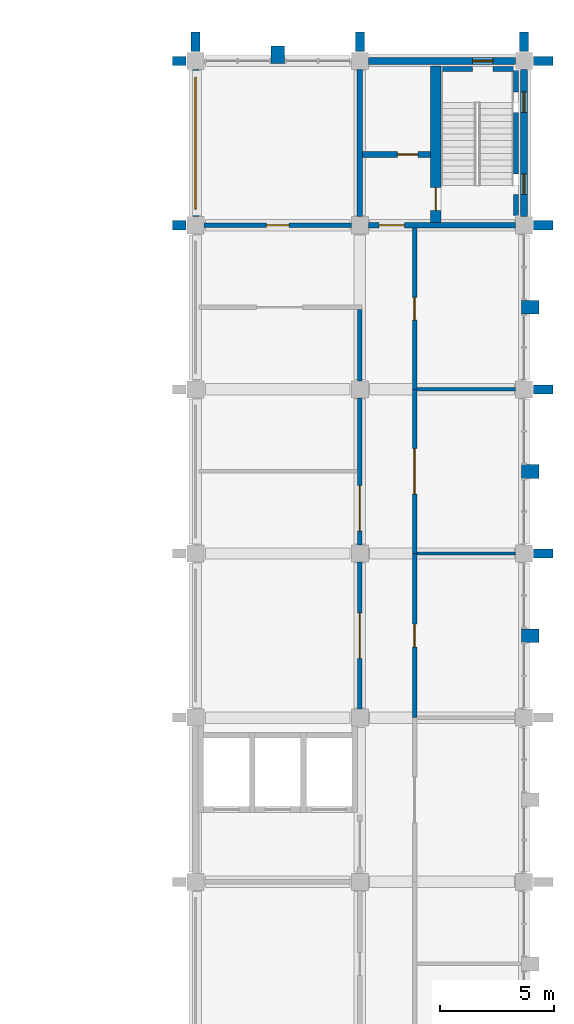
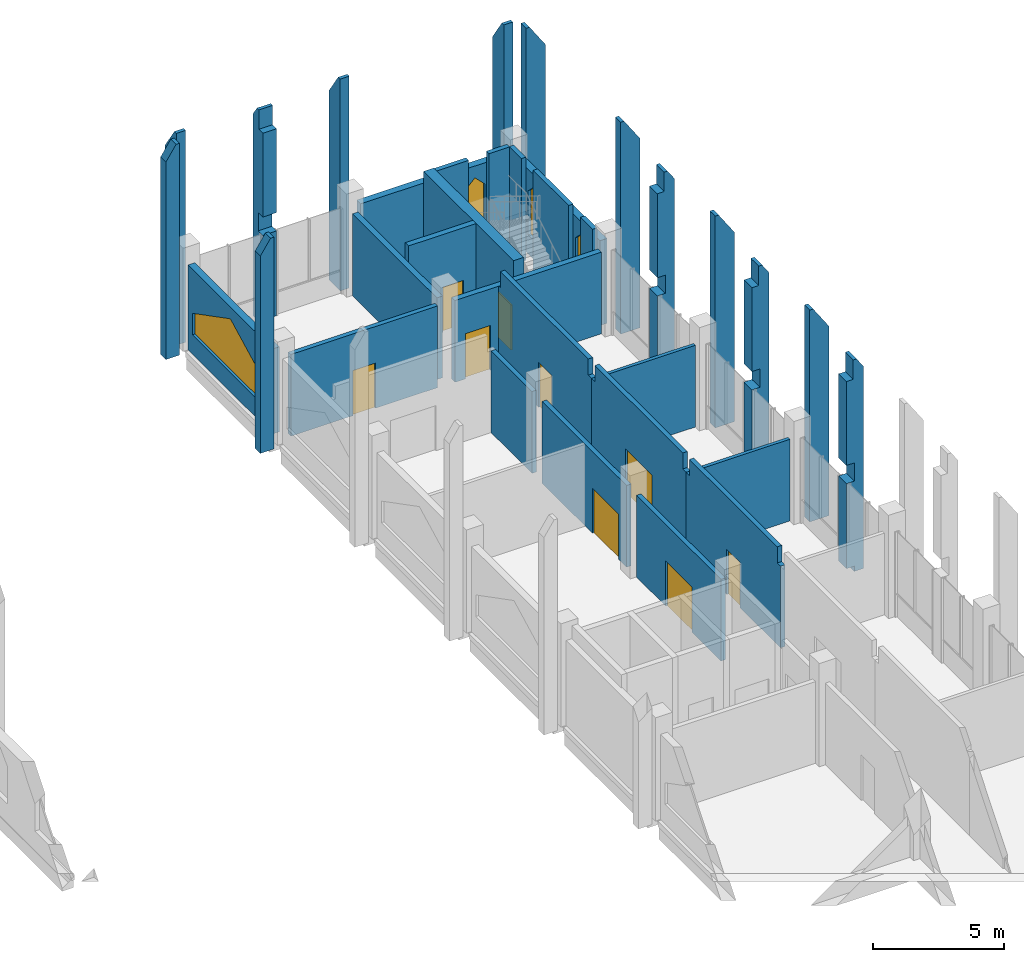
# One storey, part 36 of 40: 34 walls, 9 doors, 4 windows, 13 openings.
"""IFC4 building model written with IfcOpenShell, lengths in metres."""

from ifc_helpers import new_model, si_unit, direction, frame, frame_2d, origin, place, context, subcontext, project, spatial, polyline, rectangle, outline, extrude, material, layer, layer_set, type_object, element, fill, save


model = new_model("IFC4")

# Units and contexts
model_context = context("Model", 3, precision=1e-05, world=origin(), true_north=direction((0.0, 1.0)))
body_context = subcontext(model_context, "Body", "Model", "MODEL_VIEW")
ifc_project = project(units=[si_unit("LENGTHUNIT", "METRE"), si_unit("AREAUNIT", "SQUARE_METRE"), si_unit("VOLUMEUNIT", "CUBIC_METRE"), si_unit("PLANEANGLEUNIT", "RADIAN"), si_unit("MASSUNIT", "GRAM", prefix="KILO")], contexts=[model_context])

# Site, building, storey
site_placement = place(None, origin())
site = spatial("IfcSite", under=ifc_project, at=site_placement, CompositionType="ELEMENT")
building_placement = place(site_placement, origin())
building = spatial("IfcBuilding", under=site, at=building_placement, Name="Silangan Lancet Faculty of Sciences", CompositionType="ELEMENT")
storey_placement = place(building_placement, frame((0.0, 0.0, 21.60009765625)))
storey = spatial("IfcBuildingStorey", under=building, at=storey_placement, Name="L04", CompositionType="ELEMENT", Elevation=21.60009765625)

# Wall, opening, window
ifc_material_1 = material(Name="Concrete C40/50 precast", Category="concrete")
ifc_layer_1 = layer(ifc_material_1, 0.300048828125)
ifc_layer_set_1 = layer_set([ifc_layer_1], Name="Concrete C40/50 precast")
wall_type_1 = type_object("IfcWallType", Name="EW1 Precast cladding wall", PredefinedType="STANDARD", material=ifc_layer_set_1)
wall_1_placement = place(storey_placement, frame((72.0, 50.77490234375, 0.0), z_axis=(0.0, 0.0, 1.0), x_axis=(0.0, 1.0, 0.0)))
wall_1 = element("IfcWall", 1, at=wall_1_placement, inside=storey, type_object=wall_type_1, Name="EW-L04-W-EB-07", PredefinedType="STANDARD", context=body_context, shape_type="SweptSolid", body=[
    extrude(rectangle(XDim=6.4501953125, YDim=0.300048828125, at=frame_2d((3.22509765625, 0.0))), origin(), (0.0, 0.0, 1.0), 3.949951171875),
])
opening_1_placement = place(wall_1_placement, frame((0.324951171875, 0.0, 0.89990234375)))
opening_1 = element("IfcOpeningElement", 2, at=opening_1_placement, cuts=wall_1, Name="Opening W15", PredefinedType="OPENING", context=body_context, shape_type="SweptSolid", body=[
    extrude(outline(polyline([(0.0, 0.0), (5.800048828125, 0.0), (5.800048828125, 1.0), (2.89990234375, 2.5), (0.0, 1.0), (0.0, 0.0)])), frame((0.0, 0.159912109375, 0.0), z_axis=(0.0, -1.0, 0.0), x_axis=(1.0, 0.0, 0.0)), (0.0, 0.0, 1.0), 0.320068359375),
])
ifc_material_2 = material(Name="Aluminium frame, laminated double glazing", Category="aluminium")
window_type_1 = type_object("IfcWindowType", Name="W15 Traceried bay window 5800 x 2500", PartitioningType="TRIPLE_PANEL_VERTICAL", PredefinedType="WINDOW", material=ifc_material_2)
window_1_placement = place(opening_1_placement, origin())
window_1 = element("IfcWindow", 3, at=window_1_placement, inside=storey, type_object=window_type_1, Name="WIN-L04-W-EB-07a", OverallHeight=2.5, OverallWidth=5.800048828125, PartitioningType="TRIPLE_PANEL_VERTICAL", PredefinedType="WINDOW", context=body_context, shape_type="SweptSolid", body=[
    extrude(outline(polyline([(0.0, 0.0), (5.800048828125, 0.0), (5.800048828125, 1.0), (2.89990234375, 2.5), (0.0, 1.0), (0.0, 0.0)])), frame((0.0, 0.030029296875, 0.0), z_axis=(0.0, -1.0, 0.0), x_axis=(1.0, 0.0, 0.0)), (0.0, 0.0, 1.0), 0.06005859375),
])
fill(opening_1, window_1)

# Wall, openings, windows
ifc_material_3 = material(Name="Concrete C40/50 precast", Category="concrete")
ifc_layer_2 = layer(ifc_material_3, 0.300048828125)
ifc_layer_set_2 = layer_set([ifc_layer_2], Name="Concrete C40/50 precast")
wall_type_2 = type_object("IfcWallType", Name="EW2 Turret enclosure wall", PredefinedType="STANDARD", material=ifc_layer_set_2)
wall_2_placement = place(storey_placement, frame((86.39990234375, 50.77490234375, 0.0), z_axis=(0.0, 0.0, 1.0), x_axis=(0.0, 1.0, 0.0)))
wall_2 = element("IfcWall", 4, at=wall_2_placement, inside=storey, type_object=wall_type_2, Name="EW-L04-E-EB-07", PredefinedType="STANDARD", context=body_context, shape_type="SweptSolid", body=[
    extrude(rectangle(XDim=6.4501953125, YDim=0.300048828125, at=frame_2d((3.22509765625, 0.0))), origin(), (0.0, 0.0, 1.0), 3.949951171875),
])
opening_2_placement = place(wall_2_placement, frame((0.97509765625, 0.0, 0.89990234375)))
opening_2 = element("IfcOpeningElement", 5, at=opening_2_placement, cuts=wall_2, Name="Opening W11", PredefinedType="OPENING", context=body_context, shape_type="SweptSolid", body=[
    extrude(outline(polyline([(0.0, 0.0), (0.89990234375, 0.0), (0.89990234375, 2.050048828125), (0.449951171875, 2.5), (0.0, 2.050048828125), (0.0, 0.0)])), frame((0.0, 0.159912109375, 0.0), z_axis=(0.0, -1.0, 0.0), x_axis=(1.0, 0.0, 0.0)), (0.0, 0.0, 1.0), 0.320068359375),
])
opening_3_placement = place(wall_2_placement, frame((4.574951171875, 0.0, 0.89990234375)))
opening_3 = element("IfcOpeningElement", 6, at=opening_3_placement, cuts=wall_2, Name="Opening W11", PredefinedType="OPENING", context=body_context, shape_type="SweptSolid", body=[
    extrude(outline(polyline([(0.0, 0.0), (0.89990234375, 0.0), (0.89990234375, 2.050048828125), (0.449951171875, 2.5), (0.0, 2.050048828125), (0.0, 0.0)])), frame((0.0, 0.159912109375, 0.0), z_axis=(0.0, -1.0, 0.0), x_axis=(1.0, 0.0, 0.0)), (0.0, 0.0, 1.0), 0.320068359375),
])
ifc_material_4 = material(Name="Aluminium frame, laminated double glazing", Category="aluminium")
window_type_2 = type_object("IfcWindowType", Name="W11 Lancet window 900 x 2500", PartitioningType="SINGLE_PANEL", PredefinedType="WINDOW", material=ifc_material_4)
window_2_placement = place(opening_2_placement, origin())
window_2 = element("IfcWindow", 7, at=window_2_placement, inside=storey, type_object=window_type_2, Name="WIN-L04-E-EB-07a", OverallHeight=2.5, OverallWidth=0.89990234375, PartitioningType="SINGLE_PANEL", PredefinedType="WINDOW", context=body_context, shape_type="SweptSolid", body=[
    extrude(outline(polyline([(0.0, 0.0), (0.89990234375, 0.0), (0.89990234375, 2.050048828125), (0.449951171875, 2.5), (0.0, 2.050048828125), (0.0, 0.0)])), frame((0.0, 0.030029296875, 0.0), z_axis=(0.0, -1.0, 0.0), x_axis=(1.0, 0.0, 0.0)), (0.0, 0.0, 1.0), 0.06005859375),
])
fill(opening_2, window_2)
window_3_placement = place(opening_3_placement, origin())
window_3 = element("IfcWindow", 8, at=window_3_placement, inside=storey, type_object=window_type_2, Name="WIN-L04-E-EB-07b", OverallHeight=2.5, OverallWidth=0.89990234375, PartitioningType="SINGLE_PANEL", PredefinedType="WINDOW", context=body_context, shape_type="SweptSolid", body=[
    extrude(outline(polyline([(0.0, 0.0), (0.89990234375, 0.0), (0.89990234375, 2.050048828125), (0.449951171875, 2.5), (0.0, 2.050048828125), (0.0, 0.0)])), frame((0.0, 0.030029296875, 0.0), z_axis=(0.0, -1.0, 0.0), x_axis=(1.0, 0.0, 0.0)), (0.0, 0.0, 1.0), 0.06005859375),
])
fill(opening_3, window_3)

# Wall, opening, window
wall_3_placement = place(storey_placement, frame((86.02490234375, 57.60009765625, 0.0), z_axis=(0.0, 0.0, 1.0), x_axis=(-1.0, 0.0, 0.0)))
wall_3 = element("IfcWall", 9, at=wall_3_placement, inside=storey, type_object=wall_type_2, Name="EW-L04-N-EB-00", PredefinedType="STANDARD", context=body_context, shape_type="SweptSolid", body=[
    extrude(rectangle(XDim=6.449951171875, YDim=0.300048828125, at=frame_2d((3.22509765625, 0.0))), origin(), (0.0, 0.0, 1.0), 3.949951171875),
])
opening_4_placement = place(wall_3_placement, frame((0.97509765625, 0.0, 0.89990234375)))
opening_4 = element("IfcOpeningElement", 10, at=opening_4_placement, cuts=wall_3, Name="Opening W11", PredefinedType="OPENING", context=body_context, shape_type="SweptSolid", body=[
    extrude(outline(polyline([(0.0, 0.0), (0.89990234375, 0.0), (0.89990234375, 2.050048828125), (0.449951171875, 2.5), (0.0, 2.050048828125), (0.0, 0.0)])), frame((0.0, 0.159912109375, 0.0), z_axis=(0.0, -1.0, 0.0), x_axis=(1.0, 0.0, 0.0)), (0.0, 0.0, 1.0), 0.320068359375),
])
window_4_placement = place(opening_4_placement, origin())
window_4 = element("IfcWindow", 11, at=window_4_placement, inside=storey, type_object=window_type_2, Name="WIN-L04-N-EB-00a", OverallHeight=2.5, OverallWidth=0.89990234375, PartitioningType="SINGLE_PANEL", PredefinedType="WINDOW", context=body_context, shape_type="SweptSolid", body=[
    extrude(outline(polyline([(0.0, 0.0), (0.89990234375, 0.0), (0.89990234375, 2.050048828125), (0.449951171875, 2.5), (0.0, 2.050048828125), (0.0, 0.0)])), frame((0.0, 0.030029296875, 0.0), z_axis=(0.0, -1.0, 0.0), x_axis=(1.0, 0.0, 0.0)), (0.0, 0.0, 1.0), 0.06005859375),
])
fill(opening_4, window_4)

# Walls
ifc_material_5 = material(Name="Concrete C40/50 precast", Category="concrete")
ifc_layer_3 = layer(ifc_material_5, 0.60009765625)
ifc_layer_set_3 = layer_set([ifc_layer_3], Name="Concrete C40/50 precast")
wall_type_3 = type_object("IfcWallType", Name="FN2 Buttress Fin mid-bay stage 2 9850", PredefinedType="POLYGONAL", material=ifc_layer_set_3)
for number, where, z_axis, x_axis, name in (
    (12, (86.300048828125, 32.39990234375, -0.25), (0.0, 0.0, 1.0), (1.0, 0.0, 0.0), "FIN-E-EB-7-S2"),
    (13, (86.300048828125, 39.60009765625, -0.25), (0.0, 0.0, 1.0), (1.0, 0.0, 0.0), "FIN-E-EB-9-S2"),
    (14, (86.300048828125, 46.800048828125, -0.25), (0.0, 0.0, 1.0), (1.0, 0.0, 0.0), "FIN-E-EB-11-S2"),
    (15, (75.60009765625, 57.5, -0.25), (0.0, 0.0, 1.0), (0.0, 1.0, 0.0), "FIN-N-EB-1-S2"),
):
    element("IfcWall", number, at=place(storey_placement, frame(where, z_axis=z_axis, x_axis=x_axis)), inside=storey, type_object=wall_type_3, Name=name, PredefinedType="POLYGONAL", context=body_context, shape_type="SweptSolid", body=[
        extrude(outline(polyline([(0.75, 0.0), (0.75, 9.39990234375), (0.449951171875, 9.849853515625), (0.300048828125, 9.849853515625), (0.300048828125, 8.949951171875), (0.0, 8.949951171875), (0.0, 5.0498046875), (0.35009765625, 5.0498046875), (0.35009765625, 4.199951171875), (0.0, 4.199951171875), (0.0, 0.25), (0.35009765625, 0.25), (0.35009765625, 0.0), (0.75, 0.0)])), frame((0.0, 0.300048828125, 0.0), z_axis=(0.0, -1.0, 0.0), x_axis=(1.0, 0.0, 0.0)), (0.0, 0.0, 1.0), 0.60009765625),
    ])
ifc_material_6 = material(Name="Concrete C40/50 precast", Category="concrete")
ifc_layer_4 = layer(ifc_material_6, 0.39990234375)
ifc_layer_set_4 = layer_set([ifc_layer_4], Name="Concrete C40/50 precast")
wall_type_4 = type_object("IfcWallType", Name="FN54 Buttress Fin column line stage 2 9850", PredefinedType="POLYGONAL", material=ifc_layer_set_4)
for number, where, z_axis, x_axis, name in (
    (16, (71.574951171875, 50.39990234375, -0.25), (0.0, 0.0, 1.0), (-1.0, 0.0, 0.0), "FINC-W-EB-08-S2"),
    (17, (71.574951171875, 57.60009765625, -0.25), (0.0, 0.0, 1.0), (-1.0, 0.0, 0.0), "FINC-W-EB-09-S2"),
):
    element("IfcWall", number, at=place(storey_placement, frame(where, z_axis=z_axis, x_axis=x_axis)), inside=storey, type_object=wall_type_4, Name=name, PredefinedType="POLYGONAL", context=body_context, shape_type="SweptSolid", body=[
        extrude(outline(polyline([(0.60009765625, 0.0), (0.60009765625, 9.1748046875), (0.14990234375, 9.849853515625), (0.0, 9.849853515625), (0.0, 0.0), (0.60009765625, 0.0)])), frame((0.0, 0.199951171875, 0.0), z_axis=(0.0, -1.0, 0.0), x_axis=(1.0, 0.0, 0.0)), (0.0, 0.0, 1.0), 0.39990234375),
    ])
ifc_material_7 = material(Name="Concrete C40/50 precast", Category="concrete")
ifc_layer_5 = layer(ifc_material_7, 0.39990234375)
ifc_layer_set_5 = layer_set([ifc_layer_5], Name="Concrete C40/50 precast")
wall_type_5 = type_object("IfcWallType", Name="FN56 Buttress Fin column line stage 2 9850", PredefinedType="POLYGONAL", material=ifc_layer_set_5)
for number, where, z_axis, x_axis, name in (
    (18, (72.0, 58.02490234375, -0.25), (0.0, 0.0, 1.0), (0.0, 1.0, 0.0), "FINC-N-EB-01-S2"),
    (19, (79.199951171875, 58.02490234375, -0.25), (0.0, 0.0, 1.0), (0.0, 1.0, 0.0), "FINC-N-EB-02-S2"),
    (20, (86.824951171875, 36.0, -0.25), (0.0, 0.0, 1.0), (1.0, 0.0, 0.0), "FINC-E-EB-06-S2"),
    (21, (86.824951171875, 43.199951171875, -0.25), (0.0, 0.0, 1.0), (1.0, 0.0, 0.0), "FINC-E-EB-07-S2"),
    (22, (86.824951171875, 50.39990234375, -0.25), (0.0, 0.0, 1.0), (1.0, 0.0, 0.0), "FINC-E-EB-08-S2"),
    (23, (86.39990234375, 58.02490234375, -0.25), (0.0, 0.0, 1.0), (0.0, 1.0, 0.0), "FINC-N-EB-03-S2"),
    (24, (86.824951171875, 57.60009765625, -0.25), (0.0, 0.0, 1.0), (1.0, 0.0, 0.0), "FINC-E-EB-09-S2"),
):
    element("IfcWall", number, at=place(storey_placement, frame(where, z_axis=z_axis, x_axis=x_axis)), inside=storey, type_object=wall_type_5, Name=name, PredefinedType="POLYGONAL", context=body_context, shape_type="SweptSolid", body=[
        extrude(outline(polyline([(0.85009765625, 0.0), (0.85009765625, 8.7998046875), (0.14990234375, 9.849853515625), (0.0, 9.849853515625), (0.0, 0.0), (0.85009765625, 0.0)])), frame((0.0, 0.199951171875, 0.0), z_axis=(0.0, -1.0, 0.0), x_axis=(1.0, 0.0, 0.0)), (0.0, 0.0, 1.0), 0.39990234375),
    ])

# Wall, opening, door
ifc_material_8 = material(Name="Hollow block masonry fm 7 MPa", Category="masonry")
ifc_layer_6 = layer(ifc_material_8, 0.199951171875)
ifc_layer_set_6 = layer_set([ifc_layer_6], Name="Hollow block masonry fm 7 MPa")
wall_type_6 = type_object("IfcWallType", Name="Interior wall PW1 Corridor wall CHB 200", PredefinedType="PARTITIONING", material=ifc_layer_set_6)
wall_4_placement = place(storey_placement, frame((72.375, 50.39990234375, 0.0), z_axis=(0.0, 0.0, 1.0), x_axis=(1.0, 0.0, 0.0)))
wall_4 = element("IfcWall", 25, at=wall_4_placement, inside=storey, type_object=wall_type_6, Name="Corridor wall CHB 200", PredefinedType="PARTITIONING", context=body_context, shape_type="SweptSolid", body=[
    extrude(rectangle(XDim=6.449951171875, YDim=0.199951171875, at=frame_2d((3.22509765625, 0.0))), origin(), (0.0, 0.0, 1.0), 3.7998046875),
])
opening_5_placement = place(wall_4_placement, frame((2.72509765625, 0.0, 0.0)))
opening_5 = element("IfcOpeningElement", 26, at=opening_5_placement, cuts=wall_4, Name="Opening L04-038", PredefinedType="OPENING", context=body_context, shape_type="SweptSolid", body=[
    extrude(rectangle(XDim=1.0, YDim=2.10009765625, at=frame_2d((0.5, 1.050048828125))), frame((0.0, 0.10986328125, 0.0), z_axis=(0.0, -1.0, 0.0), x_axis=(1.0, 0.0, 0.0)), (0.0, 0.0, 1.0), 0.219970703125),
])
ifc_material_9 = material(Name="Steel fire door set", Category="steel")
door_type_1 = type_object("IfcDoorType", Name="Door D1 Single leaf fire door 1000 x 2100", OperationType="SINGLE_SWING_LEFT", PredefinedType="DOOR", material=ifc_material_9)
door_1_placement = place(opening_5_placement, origin())
door_1 = element("IfcDoor", 27, at=door_1_placement, inside=storey, type_object=door_type_1, Name="Single leaf fire door 1000 x 2100", OperationType="SINGLE_SWING_RIGHT", OverallHeight=2.10009765625, OverallWidth=1.0, PredefinedType="DOOR", context=body_context, shape_type="SweptSolid", body=[
    extrude(rectangle(XDim=1.0, YDim=2.10009765625, at=frame_2d((0.5, 1.050048828125))), frame((0.0, 0.02490234375, 0.0), z_axis=(0.0, -1.0, 0.0), x_axis=(1.0, 0.0, 0.0)), (0.0, 0.0, 1.0), 0.050048828125),
])
fill(opening_5, door_1)

wall_5_placement = place(storey_placement, frame((79.199951171875, 29.175048828125, 0.0), z_axis=(0.0, 0.0, 1.0), x_axis=(0.0, 1.0, 0.0)))
wall_5 = element("IfcWall", 28, at=wall_5_placement, inside=storey, type_object=wall_type_6, Name="Corridor wall CHB 200", PredefinedType="PARTITIONING", context=body_context, shape_type="SweptSolid", body=[
    extrude(rectangle(XDim=6.449951171875, YDim=0.199951171875, at=frame_2d((3.22509765625, 0.0))), origin(), (0.0, 0.0, 1.0), 3.7998046875),
])
opening_6_placement = place(wall_5_placement, frame((2.22509765625, 0.0, 0.0)))
opening_6 = element("IfcOpeningElement", 29, at=opening_6_placement, cuts=wall_5, Name="Opening L04-035", PredefinedType="OPENING", context=body_context, shape_type="SweptSolid", body=[
    extrude(rectangle(XDim=2.0, YDim=2.10009765625, at=frame_2d((1.0, 1.050048828125))), frame((0.0, 0.10986328125, 0.0), z_axis=(0.0, -1.0, 0.0), x_axis=(1.0, 0.0, 0.0)), (0.0, 0.0, 1.0), 0.219970703125),
])
ifc_material_10 = material(Name="Steel fire door set", Category="steel")
door_type_2 = type_object("IfcDoorType", Name="Door D4 Double leaf fire door 2000 x 2100", OperationType="DOUBLE_DOOR_SINGLE_SWING", PredefinedType="DOOR", material=ifc_material_10)
door_2_placement = place(opening_6_placement, origin())
door_2 = element("IfcDoor", 30, at=door_2_placement, inside=storey, type_object=door_type_2, Name="Double leaf fire door 2000 x 2100", OperationType="DOUBLE_DOOR_SINGLE_SWING", OverallHeight=2.10009765625, OverallWidth=2.0, PredefinedType="DOOR", context=body_context, shape_type="SweptSolid", body=[
    extrude(rectangle(XDim=2.0, YDim=2.10009765625, at=frame_2d((1.0, 1.050048828125))), frame((0.0, 0.02490234375, 0.0), z_axis=(0.0, -1.0, 0.0), x_axis=(1.0, 0.0, 0.0)), (0.0, 0.0, 1.0), 0.050048828125),
])
fill(opening_6, door_2)

wall_6_placement = place(storey_placement, frame((79.199951171875, 36.375, 0.0), z_axis=(0.0, 0.0, 1.0), x_axis=(0.0, 1.0, 0.0)))
wall_6 = element("IfcWall", 31, at=wall_6_placement, inside=storey, type_object=wall_type_6, Name="Corridor wall CHB 200", PredefinedType="PARTITIONING", context=body_context, shape_type="SweptSolid", body=[
    extrude(rectangle(XDim=6.449951171875, YDim=0.199951171875, at=frame_2d((3.22509765625, 0.0))), origin(), (0.0, 0.0, 1.0), 3.7998046875),
])
opening_7_placement = place(wall_6_placement, frame((0.612548828125, 0.0, 0.0)))
opening_7 = element("IfcOpeningElement", 32, at=opening_7_placement, cuts=wall_6, Name="Opening L04-036", PredefinedType="OPENING", context=body_context, shape_type="SweptSolid", body=[
    extrude(rectangle(XDim=2.0, YDim=2.10009765625, at=frame_2d((1.0, 1.050048828125))), frame((0.0, 0.10986328125, 0.0), z_axis=(0.0, -1.0, 0.0), x_axis=(1.0, 0.0, 0.0)), (0.0, 0.0, 1.0), 0.219970703125),
])
door_3_placement = place(opening_7_placement, origin())
door_3 = element("IfcDoor", 33, at=door_3_placement, inside=storey, type_object=door_type_2, Name="Double leaf fire door 2000 x 2100", OperationType="DOUBLE_DOOR_SINGLE_SWING", OverallHeight=2.10009765625, OverallWidth=2.0, PredefinedType="DOOR", context=body_context, shape_type="SweptSolid", body=[
    extrude(rectangle(XDim=2.0, YDim=2.10009765625, at=frame_2d((1.0, 1.050048828125))), frame((0.0, 0.02490234375, 0.0), z_axis=(0.0, -1.0, 0.0), x_axis=(1.0, 0.0, 0.0)), (0.0, 0.0, 1.0), 0.050048828125),
])
fill(opening_7, door_3)

# Wall
wall_7_placement = place(storey_placement, frame((79.199951171875, 43.574951171875, 0.0), z_axis=(0.0, 0.0, 1.0), x_axis=(0.0, 1.0, 0.0)))
element("IfcWall", 34, at=wall_7_placement, inside=storey, type_object=wall_type_6, Name="Corridor wall CHB 200", PredefinedType="PARTITIONING", context=body_context, shape_type="SweptSolid", body=[
    extrude(rectangle(XDim=3.125, YDim=0.199951171875, at=frame_2d((1.5625, 0.0))), origin(), (0.0, 0.0, 1.0), 3.7998046875),
])

# Wall, opening, door
wall_8_placement = place(storey_placement, frame((81.60009765625, 28.800048828125, 0.0), z_axis=(0.0, 0.0, 1.0), x_axis=(0.0, 1.0, 0.0)))
wall_8 = element("IfcWall", 35, at=wall_8_placement, inside=storey, type_object=wall_type_6, Name="Corridor wall CHB 200", PredefinedType="PARTITIONING", context=body_context, shape_type="SweptSolid", body=[
    extrude(outline(polyline([(0.0, 0.0), (7.199951171875, 0.0), (7.199951171875, 3.7998046875), (6.949951171875, 3.7998046875), (6.949951171875, 4.5498046875), (0.25, 4.5498046875), (0.25, 3.7998046875), (0.0, 3.7998046875), (0.0, 0.0)])), frame((0.0, 0.10009765625, 0.0), z_axis=(0.0, -1.0, 0.0), x_axis=(1.0, 0.0, 0.0)), (0.0, 0.0, 1.0), 0.199951171875),
])
opening_8_placement = place(wall_8_placement, frame((3.10009765625, 0.0, 0.0)))
opening_8 = element("IfcOpeningElement", 36, at=opening_8_placement, cuts=wall_8, Name="Opening L04-041", PredefinedType="OPENING", context=body_context, shape_type="SweptSolid", body=[
    extrude(rectangle(XDim=1.0, YDim=2.10009765625, at=frame_2d((0.5, 1.050048828125))), frame((0.0, 0.10986328125, 0.0), z_axis=(0.0, -1.0, 0.0), x_axis=(1.0, 0.0, 0.0)), (0.0, 0.0, 1.0), 0.219970703125),
])
door_4_placement = place(opening_8_placement, frame((1.0, 0.0, 0.0), z_axis=(0.0, 0.0, 1.0), x_axis=(-1.0, 0.0, 0.0)))
door_4 = element("IfcDoor", 37, at=door_4_placement, inside=storey, type_object=door_type_1, Name="Single leaf fire door 1000 x 2100", OperationType="SINGLE_SWING_RIGHT", OverallHeight=2.10009765625, OverallWidth=1.0, PredefinedType="DOOR", context=body_context, shape_type="SweptSolid", body=[
    extrude(rectangle(XDim=1.0, YDim=2.10009765625, at=frame_2d((0.5, 1.050048828125))), frame((0.0, 0.025146484375, 0.0), z_axis=(0.0, -1.0, 0.0), x_axis=(1.0, 0.0, 0.0)), (0.0, 0.0, 1.0), 0.050048828125),
])
fill(opening_8, door_4)

wall_9_placement = place(storey_placement, frame((81.60009765625, 36.0, 0.0), z_axis=(0.0, 0.0, 1.0), x_axis=(0.0, 1.0, 0.0)))
wall_9 = element("IfcWall", 38, at=wall_9_placement, inside=storey, type_object=wall_type_6, Name="Corridor wall CHB 200", PredefinedType="PARTITIONING", context=body_context, shape_type="SweptSolid", body=[
    extrude(outline(polyline([(0.0, 0.0), (7.199951171875, 0.0), (7.199951171875, 3.7998046875), (6.949951171875, 3.7998046875), (6.949951171875, 4.5498046875), (0.25, 4.5498046875), (0.25, 3.7998046875), (0.0, 3.7998046875), (0.0, 0.0)])), frame((0.0, 0.10009765625, 0.0), z_axis=(0.0, -1.0, 0.0), x_axis=(1.0, 0.0, 0.0)), (0.0, 0.0, 1.0), 0.199951171875),
])
opening_9_placement = place(wall_9_placement, frame((2.60009765625, 0.0, 0.0)))
opening_9 = element("IfcOpeningElement", 39, at=opening_9_placement, cuts=wall_9, Name="Opening L04-042", PredefinedType="OPENING", context=body_context, shape_type="SweptSolid", body=[
    extrude(rectangle(XDim=2.0, YDim=2.10009765625, at=frame_2d((1.0, 1.050048828125))), frame((0.0, 0.10986328125, 0.0), z_axis=(0.0, -1.0, 0.0), x_axis=(1.0, 0.0, 0.0)), (0.0, 0.0, 1.0), 0.219970703125),
])
door_5_placement = place(opening_9_placement, origin())
door_5 = element("IfcDoor", 40, at=door_5_placement, inside=storey, type_object=door_type_2, Name="Double leaf fire door 2000 x 2100", OperationType="DOUBLE_DOOR_SINGLE_SWING", OverallHeight=2.10009765625, OverallWidth=2.0, PredefinedType="DOOR", context=body_context, shape_type="SweptSolid", body=[
    extrude(rectangle(XDim=2.0, YDim=2.10009765625, at=frame_2d((1.0, 1.050048828125))), frame((0.0, 0.02490234375, 0.0), z_axis=(0.0, -1.0, 0.0), x_axis=(1.0, 0.0, 0.0)), (0.0, 0.0, 1.0), 0.050048828125),
])
fill(opening_9, door_5)

wall_10_placement = place(storey_placement, frame((81.60009765625, 43.199951171875, 0.0), z_axis=(0.0, 0.0, 1.0), x_axis=(0.0, 1.0, 0.0)))
wall_10 = element("IfcWall", 41, at=wall_10_placement, inside=storey, type_object=wall_type_6, Name="Corridor wall CHB 200", PredefinedType="PARTITIONING", context=body_context, shape_type="SweptSolid", body=[
    extrude(outline(polyline([(0.0, 0.0), (7.074951171875, 0.0), (7.074951171875, 3.7998046875), (6.949951171875, 3.7998046875), (6.949951171875, 4.5498046875), (0.25, 4.5498046875), (0.25, 3.7998046875), (0.0, 3.7998046875), (0.0, 0.0)])), frame((0.0, 0.10009765625, 0.0), z_axis=(0.0, -1.0, 0.0), x_axis=(1.0, 0.0, 0.0)), (0.0, 0.0, 1.0), 0.199951171875),
])
opening_10_placement = place(wall_10_placement, frame((3.03759765625, 0.0, 0.0)))
opening_10 = element("IfcOpeningElement", 42, at=opening_10_placement, cuts=wall_10, Name="Opening L04-043", PredefinedType="OPENING", context=body_context, shape_type="SweptSolid", body=[
    extrude(rectangle(XDim=1.0, YDim=2.10009765625, at=frame_2d((0.5, 1.050048828125))), frame((0.0, 0.10986328125, 0.0), z_axis=(0.0, -1.0, 0.0), x_axis=(1.0, 0.0, 0.0)), (0.0, 0.0, 1.0), 0.219970703125),
])
door_6_placement = place(opening_10_placement, frame((1.0, 0.0, 0.0), z_axis=(0.0, 0.0, 1.0), x_axis=(-1.0, 0.0, 0.0)))
door_6 = element("IfcDoor", 43, at=door_6_placement, inside=storey, type_object=door_type_1, Name="Single leaf fire door 1000 x 2100", OperationType="SINGLE_SWING_RIGHT", OverallHeight=2.10009765625, OverallWidth=1.0, PredefinedType="DOOR", context=body_context, shape_type="SweptSolid", body=[
    extrude(rectangle(XDim=1.0, YDim=2.10009765625, at=frame_2d((0.5, 1.050048828125))), frame((0.0, 0.025146484375, 0.0), z_axis=(0.0, -1.0, 0.0), x_axis=(1.0, 0.0, 0.0)), (0.0, 0.0, 1.0), 0.050048828125),
])
fill(opening_10, door_6)

# Walls
ifc_material_11 = material(Name="Hollow block masonry fm 7 MPa", Category="masonry")
ifc_layer_7 = layer(ifc_material_11, 0.14990234375)
ifc_layer_set_7 = layer_set([ifc_layer_7], Name="Hollow block masonry fm 7 MPa")
wall_type_7 = type_object("IfcWallType", Name="Interior wall PW3 Partition CHB 150", PredefinedType="PARTITIONING", material=ifc_layer_set_7)
for number, where, z_axis, x_axis, name in (
    (44, (81.699951171875, 36.0, 0.0), (0.0, 0.0, 1.0), (1.0, 0.0, 0.0), "Partition CHB 150"),
    (45, (81.699951171875, 43.199951171875, 0.0), (0.0, 0.0, 1.0), (1.0, 0.0, 0.0), "Partition CHB 150"),
):
    element("IfcWall", number, at=place(storey_placement, frame(where, z_axis=z_axis, x_axis=x_axis)), inside=storey, type_object=wall_type_7, Name=name, PredefinedType="PARTITIONING", context=body_context, shape_type="SweptSolid", body=[
        extrude(rectangle(XDim=4.324951171875, YDim=0.14990234375, at=frame_2d((2.16259765625, 0.0))), origin(), (0.0, 0.0, 1.0), 3.7998046875),
    ])

# Wall, opening, door
ifc_material_12 = material(Name="Concrete C40/50", Category="concrete")
ifc_layer_8 = layer(ifc_material_12, 0.449951171875)
ifc_layer_set_8 = layer_set([ifc_layer_8], Name="Concrete C40/50")
wall_type_8 = type_object("IfcWallType", Name="TURRET CORE WALL RC 450", PredefinedType="SHEAR", material=ifc_layer_set_8)
wall_11_placement = place(storey_placement, frame((82.52490234375, 50.52490234375, 0.0), z_axis=(0.0, 0.0, 1.0), x_axis=(0.0, 1.0, 0.0)))
wall_11 = element("IfcWall", 46, at=wall_11_placement, inside=storey, type_object=wall_type_8, Name="WALL-L04-EB-B-WELL", PredefinedType="SHEAR", context=body_context, shape_type="SweptSolid", body=[
    extrude(rectangle(XDim=6.85009765625, YDim=0.449951171875, at=frame_2d((3.425048828125, 0.0))), origin(), (0.0, 0.0, 1.0), 4.5498046875),
])
opening_11_placement = place(wall_11_placement, frame((0.52490234375, 0.0, 0.0)))
opening_11 = element("IfcOpeningElement", 47, at=opening_11_placement, cuts=wall_11, Name="Opening L04-704", PredefinedType="OPENING", context=body_context, shape_type="SweptSolid", body=[
    extrude(rectangle(XDim=1.0, YDim=2.10009765625, at=frame_2d((0.5, 1.050048828125))), frame((0.0, 0.23486328125, 0.0), z_axis=(0.0, -1.0, 0.0), x_axis=(1.0, 0.0, 0.0)), (0.0, 0.0, 1.0), 0.469970703125),
])
ifc_material_13 = material(Name="Steel fire door set", Category="steel")
door_type_3 = type_object("IfcDoorType", Name="D71 Stair enclosure door 1000x2100", OperationType="SINGLE_SWING_LEFT", PredefinedType="DOOR", material=ifc_material_13)
door_7_placement = place(opening_11_placement, frame((1.0, 0.0, 0.0), z_axis=(0.0, 0.0, 1.0), x_axis=(-1.0, 0.0, 0.0)))
door_7 = element("IfcDoor", 48, at=door_7_placement, inside=storey, type_object=door_type_3, Name="Stair enclosure door EB-B L04", OperationType="SINGLE_SWING_RIGHT", OverallHeight=2.10009765625, OverallWidth=1.0, PredefinedType="DOOR", context=body_context, shape_type="SweptSolid", body=[
    extrude(rectangle(XDim=1.0, YDim=2.10009765625, at=frame_2d((0.5, 1.050048828125))), frame((0.0, 0.025146484375, 0.0), z_axis=(0.0, -1.0, 0.0), x_axis=(1.0, 0.0, 0.0)), (0.0, 0.0, 1.0), 0.050048828125),
])
fill(opening_11, door_7)

# Walls
ifc_material_14 = material(Name="Concrete C40/50", Category="concrete")
ifc_layer_9 = layer(ifc_material_14, 0.199951171875)
ifc_layer_set_9 = layer_set([ifc_layer_9], Name="Concrete C40/50")
wall_type_9 = type_object("IfcWallType", Name="TURRET LINING WALL RC 200", PredefinedType="SHEAR", material=ifc_layer_set_9)
wall_12_placement = place(storey_placement, frame((86.050048828125, 50.824951171875, -0.25), z_axis=(0.0, 0.0, 1.0), x_axis=(0.0, 1.0, 0.0)))
element("IfcWall", 49, at=wall_12_placement, inside=storey, type_object=wall_type_9, Name="WALL-L04-EB-B-WL", PredefinedType="SHEAR", context=body_context, shape_type="SweptSolid", body=[
    extrude(rectangle(XDim=0.925048828125, YDim=0.199951171875, at=frame_2d((0.46240234375, 0.0))), origin(), (0.0, 0.0, 1.0), 4.7998046875),
])
wall_13_placement = place(storey_placement, frame((86.050048828125, 52.64990234375, -0.25), z_axis=(0.0, 0.0, 1.0), x_axis=(0.0, 1.0, 0.0)))
element("IfcWall", 50, at=wall_13_placement, inside=storey, type_object=wall_type_9, Name="WALL-L04-EB-B-WL-2", PredefinedType="SHEAR", context=body_context, shape_type="SweptSolid", body=[
    extrude(rectangle(XDim=2.7001953125, YDim=0.199951171875, at=frame_2d((1.35009765625, 0.0))), origin(), (0.0, 0.0, 1.0), 4.7998046875),
])
wall_14_placement = place(storey_placement, frame((86.050048828125, 56.25, -0.25), z_axis=(0.0, 0.0, 1.0), x_axis=(0.0, 1.0, 0.0)))
element("IfcWall", 51, at=wall_14_placement, inside=storey, type_object=wall_type_9, Name="WALL-L04-EB-B-WL-3", PredefinedType="SHEAR", context=body_context, shape_type="SweptSolid", body=[
    extrude(rectangle(XDim=0.925048828125, YDim=0.199951171875, at=frame_2d((0.46240234375, 0.0))), origin(), (0.0, 0.0, 1.0), 4.7998046875),
])
wall_15_placement = place(storey_placement, frame((82.75, 57.25, -0.25), z_axis=(0.0, 0.0, 1.0), x_axis=(1.0, 0.0, 0.0)))
element("IfcWall", 52, at=wall_15_placement, inside=storey, type_object=wall_type_9, Name="WALL-L04-EB-B-WLD", PredefinedType="SHEAR", context=body_context, shape_type="SweptSolid", body=[
    extrude(rectangle(XDim=1.39990234375, YDim=0.199951171875, at=frame_2d((0.699951171875, 0.0))), origin(), (0.0, 0.0, 1.0), 4.7998046875),
])
wall_16_placement = place(storey_placement, frame((85.050048828125, 57.25, -0.25), z_axis=(0.0, 0.0, 1.0), x_axis=(1.0, 0.0, 0.0)))
element("IfcWall", 53, at=wall_16_placement, inside=storey, type_object=wall_type_9, Name="WALL-L04-EB-B-WLD-2", PredefinedType="SHEAR", context=body_context, shape_type="SweptSolid", body=[
    extrude(rectangle(XDim=0.89990234375, YDim=0.199951171875, at=frame_2d((0.449951171875, 0.0))), origin(), (0.0, 0.0, 1.0), 4.7998046875),
])

# Wall, opening, door
ifc_material_15 = material(Name="Concrete C40/50", Category="concrete")
ifc_layer_10 = layer(ifc_material_15, 0.25)
ifc_layer_set_10 = layer_set([ifc_layer_10], Name="Concrete C40/50")
wall_type_10 = type_object("IfcWallType", Name="TURRET WALL RC 250", PredefinedType="SHEAR", material=ifc_layer_set_10)
wall_17_placement = place(storey_placement, frame((79.574951171875, 50.39990234375, 0.0), z_axis=(0.0, 0.0, 1.0), x_axis=(1.0, 0.0, 0.0)))
wall_17 = element("IfcWall", 54, at=wall_17_placement, inside=storey, type_object=wall_type_10, Name="WALL-L04-EB-B-V", PredefinedType="SHEAR", context=body_context, shape_type="SweptSolid", body=[
    extrude(rectangle(XDim=6.449951171875, YDim=0.25, at=frame_2d((3.22509765625, 0.0))), origin(), (0.0, 0.0, 1.0), 3.7998046875),
])
opening_12_placement = place(wall_17_placement, frame((0.47509765625, 0.0, 0.0)))
opening_12 = element("IfcOpeningElement", 55, at=opening_12_placement, cuts=wall_17, Name="Opening L04-705", PredefinedType="OPENING", context=body_context, shape_type="SweptSolid", body=[
    extrude(rectangle(XDim=1.10009765625, YDim=2.10009765625, at=frame_2d((0.550048828125, 1.050048828125))), frame((0.0, 0.135009765625, 0.0), z_axis=(0.0, -1.0, 0.0), x_axis=(1.0, 0.0, 0.0)), (0.0, 0.0, 1.0), 0.27001953125),
])
ifc_material_16 = material(Name="Steel fire door set", Category="steel")
door_type_4 = type_object("IfcDoorType", Name="D70 Stair vestibule door 1100x2100", OperationType="SINGLE_SWING_LEFT", PredefinedType="DOOR", material=ifc_material_16)
door_8_placement = place(opening_12_placement, origin())
door_8 = element("IfcDoor", 56, at=door_8_placement, inside=storey, type_object=door_type_4, Name="Stair vestibule door EB-B L04", OperationType="SINGLE_SWING_LEFT", OverallHeight=2.10009765625, OverallWidth=1.10009765625, PredefinedType="DOOR", context=body_context, shape_type="SweptSolid", body=[
    extrude(rectangle(XDim=1.10009765625, YDim=2.10009765625, at=frame_2d((0.550048828125, 1.050048828125))), frame((0.0, 0.02490234375, 0.0), z_axis=(0.0, -1.0, 0.0), x_axis=(1.0, 0.0, 0.0)), (0.0, 0.0, 1.0), 0.050048828125),
])
fill(opening_12, door_8)

# Wall
wall_18_placement = place(storey_placement, frame((79.199951171875, 50.77490234375, 0.0), z_axis=(0.0, 0.0, 1.0), x_axis=(0.0, 1.0, 0.0)))
element("IfcWall", 57, at=wall_18_placement, inside=storey, type_object=wall_type_10, Name="WALL-L04-EB-B-O", PredefinedType="SHEAR", context=body_context, shape_type="SweptSolid", body=[
    extrude(rectangle(XDim=6.4501953125, YDim=0.25, at=frame_2d((3.22509765625, 0.0))), origin(), (0.0, 0.0, 1.0), 3.7998046875),
])

# Wall, opening, door
wall_19_placement = place(storey_placement, frame((79.324951171875, 53.5, 0.0), z_axis=(0.0, 0.0, 1.0), x_axis=(1.0, 0.0, 0.0)))
wall_19 = element("IfcWall", 58, at=wall_19_placement, inside=storey, type_object=wall_type_10, Name="WALL-L04-EB-B-RISER", PredefinedType="SHEAR", context=body_context, shape_type="SweptSolid", body=[
    extrude(rectangle(XDim=2.97509765625, YDim=0.25, at=frame_2d((1.487548828125, 0.0))), origin(), (0.0, 0.0, 1.0), 4.5498046875),
])
opening_13_placement = place(wall_19_placement, frame((1.52490234375, 0.0, 0.0)))
opening_13 = element("IfcOpeningElement", 59, at=opening_13_placement, cuts=wall_19, Name="Opening L04-706", PredefinedType="OPENING", context=body_context, shape_type="SweptSolid", body=[
    extrude(rectangle(XDim=0.89990234375, YDim=2.10009765625, at=frame_2d((0.449951171875, 1.050048828125))), frame((0.0, 0.135009765625, 0.0), z_axis=(0.0, -1.0, 0.0), x_axis=(1.0, 0.0, 0.0)), (0.0, 0.0, 1.0), 0.27001953125),
])
ifc_material_17 = material(Name="Steel fire door set", Category="steel")
door_type_5 = type_object("IfcDoorType", Name="D72 Riser access door 900x2100", OperationType="SINGLE_SWING_LEFT", PredefinedType="DOOR", material=ifc_material_17)
door_9_placement = place(opening_13_placement, origin())
door_9 = element("IfcDoor", 60, at=door_9_placement, inside=storey, type_object=door_type_5, Name="Riser access door EB-B L04", OperationType="SINGLE_SWING_LEFT", OverallHeight=2.10009765625, OverallWidth=0.89990234375, PredefinedType="DOOR", context=body_context, shape_type="SweptSolid", body=[
    extrude(rectangle(XDim=0.89990234375, YDim=2.10009765625, at=frame_2d((0.449951171875, 1.050048828125))), frame((0.0, 0.02490234375, 0.0), z_axis=(0.0, -1.0, 0.0), x_axis=(1.0, 0.0, 0.0)), (0.0, 0.0, 1.0), 0.050048828125),
])
fill(opening_13, door_9)

save(model, "model.ifc")
